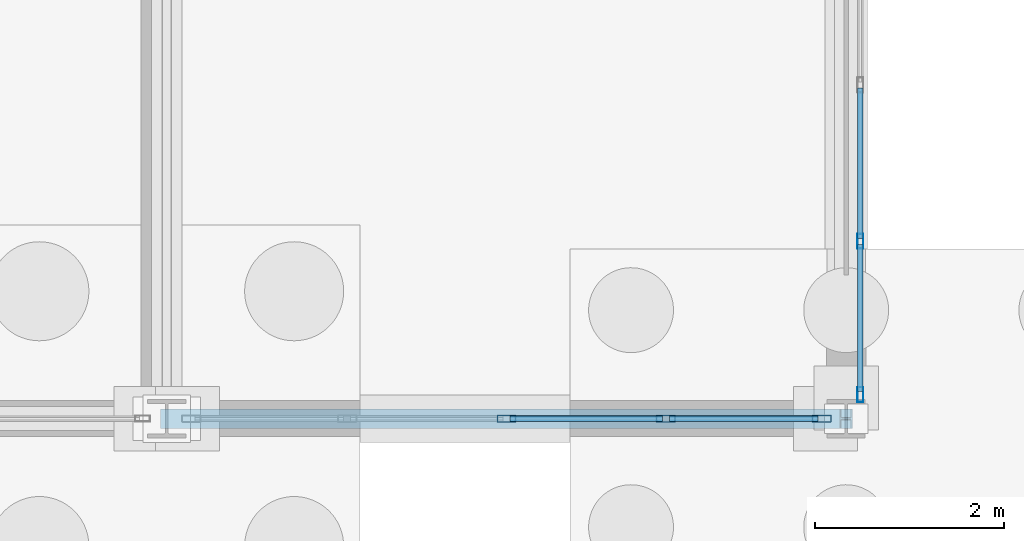
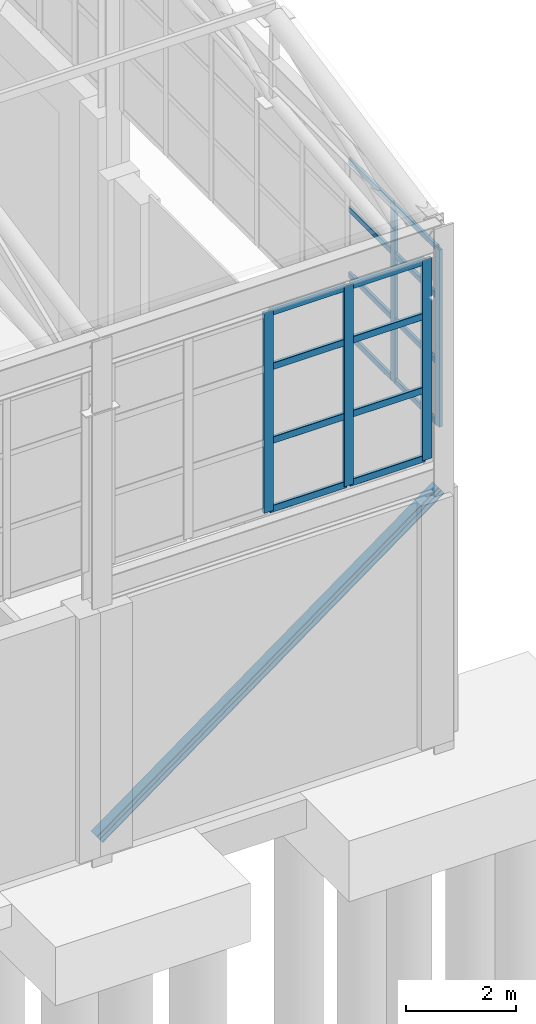
# One storey, part 176 of 293: 22 members, 2 elements without a shape of their own.
"""IFC4 building model written with IfcOpenShell, lengths in metres."""

from ifc_helpers import new_model, si_unit, direction, frame, origin, origin_2d, place, context, subcontext, project, spatial, hollow_rectangle, i_section, extrude, material, layer, layer_set, material_profile, profile_set, type_object, element, aggregate, save


model = new_model("IFC4")

# Units and contexts
model_context = context("Model", 3, precision=1e-05, world=origin(), true_north=direction((0.0, 1.0)))
body_context = subcontext(model_context, "Body", "Model", "MODEL_VIEW")
ifc_project = project(units=[si_unit("LENGTHUNIT", "METRE"), si_unit("AREAUNIT", "SQUARE_METRE"), si_unit("VOLUMEUNIT", "CUBIC_METRE"), si_unit("PLANEANGLEUNIT", "RADIAN"), si_unit("MASSUNIT", "GRAM", prefix="KILO")], contexts=[model_context])

# Site, building, storey
site_placement = place(None, origin())
site = spatial("IfcSite", under=ifc_project, at=site_placement, CompositionType="ELEMENT")
building_placement = place(site_placement, origin())
building = spatial("IfcBuilding", under=site, at=building_placement, Name="Kemerveld Promenade Tramway Depot", CompositionType="ELEMENT")
storey_placement = place(building_placement, origin())
storey = spatial("IfcBuildingStorey", under=building, at=storey_placement, Name="L00", CompositionType="ELEMENT", Elevation=0.0)

# Curtain wall, members
ifc_material_1 = material(Name="Bronze anodised aluminium and solar glass", Category="aluminium")
ifc_layer_1 = layer(ifc_material_1, 0.159912109375)
ifc_layer_set_1 = layer_set([ifc_layer_1], Name="CW-SYS-11")
curtain_wall_type_1 = type_object("IfcCurtainWallType", Name="CW-SYS-11", PredefinedType="USERDEFINED", material=ifc_layer_set_1)
curtain_wall_1_placement = place(storey_placement, origin())
curtain_wall_1 = element("IfcCurtainWall", 1, at=curtain_wall_1_placement, inside=storey, type_object=curtain_wall_type_1, Name="CW-V1-E-01", ObjectType="GLAZED_CURTAIN_WALL", PredefinedType="USERDEFINED")
ifc_material_2 = material(Name="Bronze anodised aluminium", Category="aluminium")
ifc_material_profile_1 = material_profile(ifc_material_2, hollow_rectangle(XDim=0.06494140625, YDim=0.159912109375, WallThickness=0.00390625, InnerFilletRadius=0.001953125, OuterFilletRadius=0.00390625, at=origin_2d()), Name="CW-MUL-160x65")
ifc_profile_set_1 = profile_set([ifc_material_profile_1], Name="Bronze anodised aluminium")
member_type_1 = type_object("IfcMemberType", Name="CW-MUL-A", PredefinedType="MULLION", material=ifc_profile_set_1)
member_1_placement = place(storey_placement, frame((187.35009765625, 85.87939453125, 6.64990234375), z_axis=(0.0, 0.0, 1.0), x_axis=(1.0, 0.0, 0.0)))
member_1 = element("IfcMember", 2, at=member_1_placement, type_object=member_type_1, Name="CW11 mullion 7", PredefinedType="MULLION", context=body_context, shape_type="SweptSolid", body=[
    extrude(hollow_rectangle(XDim=0.06494140625, YDim=0.159912109375, WallThickness=0.00390625, InnerFilletRadius=0.001953125, OuterFilletRadius=0.00390625, at=origin_2d()), origin(), (0.0, 0.0, 1.0), 3.9501953125),
])
member_2_placement = place(storey_placement, frame((187.35009765625, 84.255615234375, 6.64990234375), z_axis=(0.0, 0.0, 1.0), x_axis=(1.0, 0.0, 0.0)))
member_2 = element("IfcMember", 3, at=member_2_placement, type_object=member_type_1, Name="CW11 mullion 8", PredefinedType="MULLION", context=body_context, shape_type="SweptSolid", body=[
    extrude(hollow_rectangle(XDim=0.06494140625, YDim=0.159912109375, WallThickness=0.00390625, InnerFilletRadius=0.001953125, OuterFilletRadius=0.00390625, at=origin_2d()), origin(), (0.0, 0.0, 1.0), 3.9501953125),
])

ifc_layer_2 = layer(ifc_material_1, 0.199951171875)
ifc_layer_set_2 = layer_set([ifc_layer_2], Name="CW-SYS-10")
curtain_wall_type_2 = type_object("IfcCurtainWallType", Name="CW-SYS-10", PredefinedType="USERDEFINED", material=ifc_layer_set_2)
curtain_wall_2_placement = place(storey_placement, origin())
curtain_wall_2 = element("IfcCurtainWall", 4, at=curtain_wall_2_placement, inside=storey, type_object=curtain_wall_type_2, Name="CW-V1-S-21", ObjectType="GLAZED_CURTAIN_WALL", PredefinedType="USERDEFINED")
ifc_material_profile_2 = material_profile(ifc_material_2, hollow_rectangle(XDim=0.074951171875, YDim=0.199951171875, WallThickness=0.0048828125, InnerFilletRadius=0.001953125, OuterFilletRadius=0.0048828125, at=origin_2d()), Name="CW-MUL-200x75")
ifc_profile_set_2 = profile_set([ifc_material_profile_2], Name="Bronze anodised aluminium")
member_type_2 = type_object("IfcMemberType", Name="CW-MUL-B", PredefinedType="MULLION", material=ifc_profile_set_2)
member_3_placement = place(storey_placement, frame((186.939208984375, 84.0, 6.199951171875), z_axis=(0.0, 0.0, 1.0), x_axis=(0.0, -1.0, 0.0)))
member_3 = element("IfcMember", 5, at=member_3_placement, type_object=member_type_2, Name="CW10 mullion 1", PredefinedType="MULLION", context=body_context, shape_type="SweptSolid", body=[
    extrude(hollow_rectangle(XDim=0.074951171875, YDim=0.199951171875, WallThickness=0.0048828125, InnerFilletRadius=0.001953125, OuterFilletRadius=0.0048828125, at=origin_2d()), origin(), (0.0, 0.0, 1.0), 4.449951171875),
])
member_4_placement = place(storey_placement, frame((185.288330078125, 84.0, 6.199951171875), z_axis=(0.0, 0.0, 1.0), x_axis=(0.0, -1.0, 0.0)))
member_4 = element("IfcMember", 6, at=member_4_placement, type_object=member_type_2, Name="CW10 mullion 2", PredefinedType="MULLION", context=body_context, shape_type="SweptSolid", body=[
    extrude(hollow_rectangle(XDim=0.074951171875, YDim=0.199951171875, WallThickness=0.0048828125, InnerFilletRadius=0.001953125, OuterFilletRadius=0.0048828125, at=origin_2d()), origin(), (0.0, 0.0, 1.0), 4.449951171875),
])
member_5_placement = place(storey_placement, frame((183.60009765625, 84.0, 6.199951171875), z_axis=(0.0, 0.0, 1.0), x_axis=(0.0, -1.0, 0.0)))
member_5 = element("IfcMember", 7, at=member_5_placement, type_object=member_type_2, Name="CW10 mullion 3", PredefinedType="MULLION", context=body_context, shape_type="SweptSolid", body=[
    extrude(hollow_rectangle(XDim=0.074951171875, YDim=0.199951171875, WallThickness=0.0048828125, InnerFilletRadius=0.001953125, OuterFilletRadius=0.0048828125, at=origin_2d()), origin(), (0.0, 0.0, 1.0), 4.449951171875),
])

# Member
ifc_material_profile_3 = material_profile(ifc_material_2, hollow_rectangle(XDim=0.06005859375, YDim=0.1201171875, WallThickness=0.00390625, InnerFilletRadius=0.001953125, OuterFilletRadius=0.00390625, at=origin_2d()), Name="CW-TRN-120x60")
ifc_profile_set_3 = profile_set([ifc_material_profile_3], Name="Bronze anodised aluminium")
member_type_3 = type_object("IfcMemberType", Name="CW-TRN-A", PredefinedType="USERDEFINED", material=ifc_profile_set_3)
member_6_placement = place(storey_placement, frame((187.35009765625, 87.503173828125, 6.679931640625), z_axis=(0.0, -1.0, 0.0), x_axis=(1.0, 0.0, 0.0)))
member_6 = element("IfcMember", 8, at=member_6_placement, type_object=member_type_3, Name="CW11 transom 6.1", ObjectType="TRANSOM", PredefinedType="USERDEFINED", context=body_context, shape_type="SweptSolid", body=[
    extrude(hollow_rectangle(XDim=0.06005859375, YDim=0.1201171875, WallThickness=0.00390625, InnerFilletRadius=0.001953125, OuterFilletRadius=0.00390625, at=origin_2d()), origin(), (0.0, 0.0, 1.0), 1.59130859375),
])

member_7_placement = place(storey_placement, frame((187.35009765625, 87.503173828125, 8.032958984375), z_axis=(0.0, -1.0, 0.0), x_axis=(1.0, 0.0, 0.0)))
member_7 = element("IfcMember", 9, at=member_7_placement, type_object=member_type_3, Name="CW11 transom 6.2", ObjectType="TRANSOM", PredefinedType="USERDEFINED", context=body_context, shape_type="SweptSolid", body=[
    extrude(hollow_rectangle(XDim=0.06005859375, YDim=0.1201171875, WallThickness=0.00390625, InnerFilletRadius=0.001953125, OuterFilletRadius=0.00390625, at=origin_2d()), origin(), (0.0, 0.0, 1.0), 1.59130859375),
])

member_8_placement = place(storey_placement, frame((187.35009765625, 87.503173828125, 9.493896484375), z_axis=(0.0, -1.0, 0.0), x_axis=(1.0, 0.0, 0.0)))
member_8 = element("IfcMember", 10, at=member_8_placement, type_object=member_type_3, Name="CW11 transom 6.3", ObjectType="TRANSOM", PredefinedType="USERDEFINED", context=body_context, shape_type="SweptSolid", body=[
    extrude(hollow_rectangle(XDim=0.06005859375, YDim=0.1201171875, WallThickness=0.00390625, InnerFilletRadius=0.001953125, OuterFilletRadius=0.00390625, at=origin_2d()), origin(), (0.0, 0.0, 1.0), 1.59130859375),
])

member_9_placement = place(storey_placement, frame((187.35009765625, 87.503173828125, 10.570068359375), z_axis=(0.0, -1.0, 0.0), x_axis=(1.0, 0.0, 0.0)))
member_9 = element("IfcMember", 11, at=member_9_placement, type_object=member_type_3, Name="CW11 transom 6.4", ObjectType="TRANSOM", PredefinedType="USERDEFINED", context=body_context, shape_type="SweptSolid", body=[
    extrude(hollow_rectangle(XDim=0.06005859375, YDim=0.1201171875, WallThickness=0.00390625, InnerFilletRadius=0.001953125, OuterFilletRadius=0.00390625, at=origin_2d()), origin(), (0.0, 0.0, 1.0), 1.59130859375),
])

member_10_placement = place(storey_placement, frame((187.35009765625, 85.846923828125, 6.679931640625), z_axis=(0.0, -1.0, 0.0), x_axis=(1.0, 0.0, 0.0)))
member_10 = element("IfcMember", 12, at=member_10_placement, type_object=member_type_3, Name="CW11 transom 7.1", ObjectType="TRANSOM", PredefinedType="USERDEFINED", context=body_context, shape_type="SweptSolid", body=[
    extrude(hollow_rectangle(XDim=0.06005859375, YDim=0.1201171875, WallThickness=0.00390625, InnerFilletRadius=0.001953125, OuterFilletRadius=0.00390625, at=origin_2d()), origin(), (0.0, 0.0, 1.0), 1.558837890625),
])

member_11_placement = place(storey_placement, frame((187.35009765625, 85.846923828125, 8.032958984375), z_axis=(0.0, -1.0, 0.0), x_axis=(1.0, 0.0, 0.0)))
member_11 = element("IfcMember", 13, at=member_11_placement, type_object=member_type_3, Name="CW11 transom 7.2", ObjectType="TRANSOM", PredefinedType="USERDEFINED", context=body_context, shape_type="SweptSolid", body=[
    extrude(hollow_rectangle(XDim=0.06005859375, YDim=0.1201171875, WallThickness=0.00390625, InnerFilletRadius=0.001953125, OuterFilletRadius=0.00390625, at=origin_2d()), origin(), (0.0, 0.0, 1.0), 1.558837890625),
])

member_12_placement = place(storey_placement, frame((187.35009765625, 85.846923828125, 9.493896484375), z_axis=(0.0, -1.0, 0.0), x_axis=(1.0, 0.0, 0.0)))
member_12 = element("IfcMember", 14, at=member_12_placement, type_object=member_type_3, Name="CW11 transom 7.3", ObjectType="TRANSOM", PredefinedType="USERDEFINED", context=body_context, shape_type="SweptSolid", body=[
    extrude(hollow_rectangle(XDim=0.06005859375, YDim=0.1201171875, WallThickness=0.00390625, InnerFilletRadius=0.001953125, OuterFilletRadius=0.00390625, at=origin_2d()), origin(), (0.0, 0.0, 1.0), 1.558837890625),
])

member_13_placement = place(storey_placement, frame((187.35009765625, 85.846923828125, 10.570068359375), z_axis=(0.0, -1.0, 0.0), x_axis=(1.0, 0.0, 0.0)))
member_13 = element("IfcMember", 15, at=member_13_placement, type_object=member_type_3, Name="CW11 transom 7.4", ObjectType="TRANSOM", PredefinedType="USERDEFINED", context=body_context, shape_type="SweptSolid", body=[
    extrude(hollow_rectangle(XDim=0.06005859375, YDim=0.1201171875, WallThickness=0.00390625, InnerFilletRadius=0.001953125, OuterFilletRadius=0.00390625, at=origin_2d()), origin(), (0.0, 0.0, 1.0), 1.558837890625),
])

aggregate(curtain_wall_1, [member_1, member_2, member_6, member_7, member_8, member_9, member_10, member_11, member_12, member_13])

ifc_material_profile_4 = material_profile(ifc_material_2, hollow_rectangle(XDim=0.06494140625, YDim=0.14990234375, WallThickness=0.00439453125, InnerFilletRadius=0.001953125, OuterFilletRadius=0.00439453125, at=origin_2d()), Name="CW-TRN-150x65")
ifc_profile_set_4 = profile_set([ifc_material_profile_4], Name="Bronze anodised aluminium")
member_type_4 = type_object("IfcMemberType", Name="CW-TRN-B", PredefinedType="USERDEFINED", material=ifc_profile_set_4)
member_14_placement = place(storey_placement, frame((186.90185546875, 84.0, 6.232421875), z_axis=(-1.0, 0.0, 0.0), x_axis=(0.0, -1.0, 0.0)))
member_14 = element("IfcMember", 16, at=member_14_placement, type_object=member_type_4, Name="CW10 transom 1.1", ObjectType="TRANSOM", PredefinedType="USERDEFINED", context=body_context, shape_type="SweptSolid", body=[
    extrude(hollow_rectangle(XDim=0.06494140625, YDim=0.14990234375, WallThickness=0.00439453125, InnerFilletRadius=0.001953125, OuterFilletRadius=0.00439453125, at=origin_2d()), origin(), (0.0, 0.0, 1.0), 1.575927734375),
])

member_15_placement = place(storey_placement, frame((186.90185546875, 84.0, 7.758056640625), z_axis=(-1.0, 0.0, 0.0), x_axis=(0.0, -1.0, 0.0)))
member_15 = element("IfcMember", 17, at=member_15_placement, type_object=member_type_4, Name="CW10 transom 1.2", ObjectType="TRANSOM", PredefinedType="USERDEFINED", context=body_context, shape_type="SweptSolid", body=[
    extrude(hollow_rectangle(XDim=0.06494140625, YDim=0.14990234375, WallThickness=0.00439453125, InnerFilletRadius=0.001953125, OuterFilletRadius=0.00439453125, at=origin_2d()), origin(), (0.0, 0.0, 1.0), 1.575927734375),
])

member_16_placement = place(storey_placement, frame((186.90185546875, 84.0, 9.404052734375), z_axis=(-1.0, 0.0, 0.0), x_axis=(0.0, -1.0, 0.0)))
member_16 = element("IfcMember", 18, at=member_16_placement, type_object=member_type_4, Name="CW10 transom 1.3", ObjectType="TRANSOM", PredefinedType="USERDEFINED", context=body_context, shape_type="SweptSolid", body=[
    extrude(hollow_rectangle(XDim=0.06494140625, YDim=0.14990234375, WallThickness=0.00439453125, InnerFilletRadius=0.001953125, OuterFilletRadius=0.00439453125, at=origin_2d()), origin(), (0.0, 0.0, 1.0), 1.575927734375),
])

member_17_placement = place(storey_placement, frame((186.90185546875, 84.0, 10.617431640625), z_axis=(-1.0, 0.0, 0.0), x_axis=(0.0, -1.0, 0.0)))
member_17 = element("IfcMember", 19, at=member_17_placement, type_object=member_type_4, Name="CW10 transom 1.4", ObjectType="TRANSOM", PredefinedType="USERDEFINED", context=body_context, shape_type="SweptSolid", body=[
    extrude(hollow_rectangle(XDim=0.06494140625, YDim=0.14990234375, WallThickness=0.00439453125, InnerFilletRadius=0.001953125, OuterFilletRadius=0.00439453125, at=origin_2d()), origin(), (0.0, 0.0, 1.0), 1.575927734375),
])

member_18_placement = place(storey_placement, frame((185.2509765625, 84.0, 6.232421875), z_axis=(-1.0, 0.0, 0.0), x_axis=(0.0, -1.0, 0.0)))
member_18 = element("IfcMember", 20, at=member_18_placement, type_object=member_type_4, Name="CW10 transom 2.1", ObjectType="TRANSOM", PredefinedType="USERDEFINED", context=body_context, shape_type="SweptSolid", body=[
    extrude(hollow_rectangle(XDim=0.06494140625, YDim=0.14990234375, WallThickness=0.00439453125, InnerFilletRadius=0.001953125, OuterFilletRadius=0.00439453125, at=origin_2d()), origin(), (0.0, 0.0, 1.0), 1.613525390625),
])

member_19_placement = place(storey_placement, frame((185.2509765625, 84.0, 7.758056640625), z_axis=(-1.0, 0.0, 0.0), x_axis=(0.0, -1.0, 0.0)))
member_19 = element("IfcMember", 21, at=member_19_placement, type_object=member_type_4, Name="CW10 transom 2.2", ObjectType="TRANSOM", PredefinedType="USERDEFINED", context=body_context, shape_type="SweptSolid", body=[
    extrude(hollow_rectangle(XDim=0.06494140625, YDim=0.14990234375, WallThickness=0.00439453125, InnerFilletRadius=0.001953125, OuterFilletRadius=0.00439453125, at=origin_2d()), origin(), (0.0, 0.0, 1.0), 1.613525390625),
])

member_20_placement = place(storey_placement, frame((185.2509765625, 84.0, 9.404052734375), z_axis=(-1.0, 0.0, 0.0), x_axis=(0.0, -1.0, 0.0)))
member_20 = element("IfcMember", 22, at=member_20_placement, type_object=member_type_4, Name="CW10 transom 2.3", ObjectType="TRANSOM", PredefinedType="USERDEFINED", context=body_context, shape_type="SweptSolid", body=[
    extrude(hollow_rectangle(XDim=0.06494140625, YDim=0.14990234375, WallThickness=0.00439453125, InnerFilletRadius=0.001953125, OuterFilletRadius=0.00439453125, at=origin_2d()), origin(), (0.0, 0.0, 1.0), 1.613525390625),
])

member_21_placement = place(storey_placement, frame((185.2509765625, 84.0, 10.617431640625), z_axis=(-1.0, 0.0, 0.0), x_axis=(0.0, -1.0, 0.0)))
member_21 = element("IfcMember", 23, at=member_21_placement, type_object=member_type_4, Name="CW10 transom 2.4", ObjectType="TRANSOM", PredefinedType="USERDEFINED", context=body_context, shape_type="SweptSolid", body=[
    extrude(hollow_rectangle(XDim=0.06494140625, YDim=0.14990234375, WallThickness=0.00439453125, InnerFilletRadius=0.001953125, OuterFilletRadius=0.00439453125, at=origin_2d()), origin(), (0.0, 0.0, 1.0), 1.613525390625),
])

aggregate(curtain_wall_2, [member_3, member_4, member_5, member_14, member_15, member_16, member_17, member_18, member_19, member_20, member_21])

ifc_material_3 = material(Name="Steel S355", Category="steel")
ifc_material_profile_5 = material_profile(ifc_material_3, i_section(OverallWidth=0.208984375, OverallDepth=0.22216796875, WebThickness=0.0126953125, FlangeThickness=0.0205078125, FilletRadius=0.01025390625, at=origin_2d()), Name="203x203x86 UC")
ifc_profile_set_5 = profile_set([ifc_material_profile_5], Name="Steel S355")
member_type_5 = type_object("IfcMemberType", Name="MB-TB5", PredefinedType="BRACE", material=ifc_profile_set_5)
member_22_placement = place(storey_placement, frame((180.0, 84.0, 0.199951171875), z_axis=(0.807288292304, 0.0, 0.590157278281), x_axis=(0.0, 1.0, 0.0)))
element("IfcMember", 24, at=member_22_placement, inside=storey, type_object=member_type_5, Name="BR-SHED-WALL-N-26-A", PredefinedType="BRACE", context=body_context, shape_type="SweptSolid", body=[
    extrude(i_section(OverallWidth=0.208984375, OverallDepth=0.22216796875, WebThickness=0.0126953125, FlangeThickness=0.0205078125, FilletRadius=0.01025390625, at=origin_2d()), origin(), (0.0, 0.0, 1.0), 8.918701171875),
])

save(model, "model.ifc")
